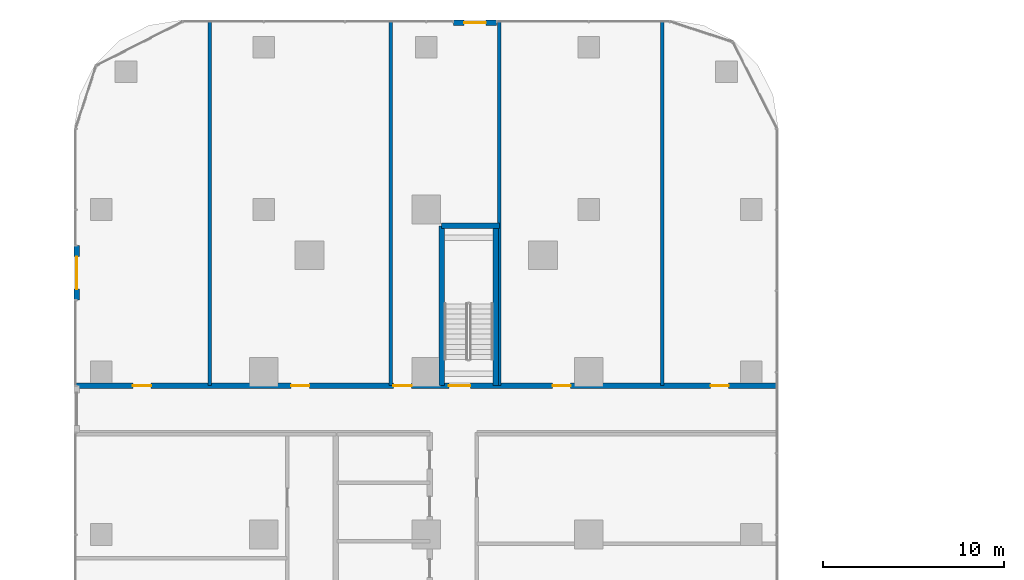
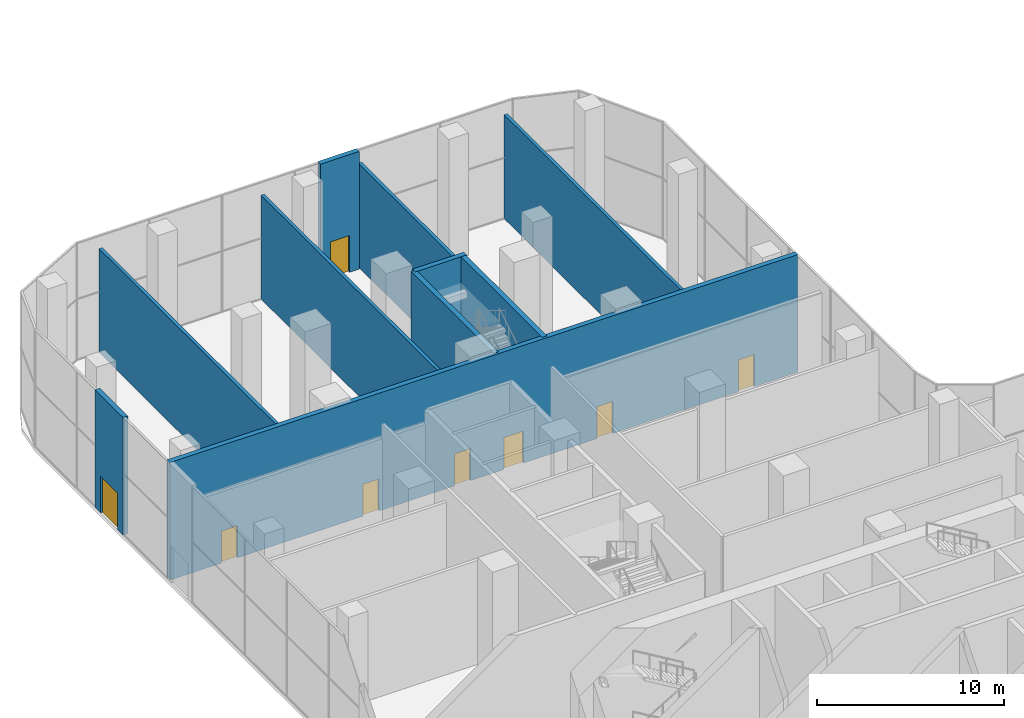
# One storey, part 35 of 54: 10 walls, 8 doors, 8 openings.
"""IFC4 building model written with IfcOpenShell, lengths in metres."""

from ifc_helpers import new_model, si_unit, direction, frame, frame_2d, origin, place, context, subcontext, project, spatial, rectangle, extrude, material, layer, layer_set, type_object, element, fill, save


model = new_model("IFC4")

# Units and contexts
model_context = context("Model", 3, precision=1e-05, world=origin(), true_north=direction((0.0, 1.0)))
body_context = subcontext(model_context, "Body", "Model", "MODEL_VIEW")
ifc_project = project(units=[si_unit("LENGTHUNIT", "METRE"), si_unit("AREAUNIT", "SQUARE_METRE"), si_unit("VOLUMEUNIT", "CUBIC_METRE"), si_unit("PLANEANGLEUNIT", "RADIAN"), si_unit("MASSUNIT", "GRAM", prefix="KILO")], contexts=[model_context])

# Site, building, storey
site_placement = place(None, origin())
site = spatial("IfcSite", under=ifc_project, at=site_placement, CompositionType="ELEMENT")
building_placement = place(site_placement, origin())
building = spatial("IfcBuilding", under=site, at=building_placement, Name="Ogive Portal Towers", CompositionType="ELEMENT")
storey_placement = place(building_placement, origin())
storey = spatial("IfcBuildingStorey", under=building, at=storey_placement, Name="L00", CompositionType="ELEMENT", Elevation=0.0)

# Wall, opening, door
ifc_material_1 = material(Name="Limestone cladding on lightweight block wall", Category="masonry")
ifc_layer_1 = layer(ifc_material_1, 0.300048828125)
ifc_layer_set_1 = layer_set([ifc_layer_1], Name="EXTERNAL WALL 300 STONE")
wall_type_1 = type_object("IfcWallType", Name="EXTERNAL WALL 300 STONE", PredefinedType="SOLIDWALL", material=ifc_layer_set_1)
wall_1_placement = place(storey_placement, frame((42.0, 85.85009765625, 0.0), z_axis=(0.0, 0.0, 1.0), x_axis=(1.0, 0.0, 0.0)))
wall_1 = element("IfcWall", 1, at=wall_1_placement, inside=storey, type_object=wall_type_1, Name="A:L00:f14:bay0", PredefinedType="SOLIDWALL", context=body_context, shape_type="SweptSolid", body=[
    extrude(rectangle(XDim=2.39990234375, YDim=0.300048828125, at=frame_2d((1.199951171875, 0.0))), origin(), (0.0, 0.0, 1.0), 7.699951171875),
])
opening_1_placement = place(wall_1_placement, frame((0.60009765625, 0.0, 0.0)))
opening_1 = element("IfcOpeningElement", 2, at=opening_1_placement, cuts=wall_1, Name="Opening DX012", PredefinedType="OPENING", context=body_context, shape_type="SweptSolid", body=[
    extrude(rectangle(XDim=1.199951171875, YDim=2.39990234375, at=frame_2d((0.60009765625, 1.199951171875))), frame((0.0, 0.16015625, 0.0), z_axis=(0.0, -1.0, 0.0), x_axis=(1.0, 0.0, 0.0)), (0.0, 0.0, 1.0), 0.320068359375),
])
ifc_material_2 = material(Name="Steel S355", Category="steel")
door_type_1 = type_object("IfcDoorType", Name="EXIT DOOR 1200x2400", OperationType="SINGLE_SWING_LEFT", PredefinedType="DOOR", material=ifc_material_2)
door_1_placement = place(opening_1_placement, origin())
door_1 = element("IfcDoor", 3, at=door_1_placement, inside=storey, type_object=door_type_1, Name="A:L00:f14:bay0/o0", OperationType="SINGLE_SWING_LEFT", OverallHeight=2.39990234375, OverallWidth=1.199951171875, PredefinedType="DOOR", context=body_context, shape_type="SweptSolid", body=[
    extrude(rectangle(XDim=1.199951171875, YDim=2.39990234375, at=frame_2d((0.60009765625, 1.199951171875))), frame((0.0, 0.02490234375, 0.0), z_axis=(0.0, -1.0, 0.0), x_axis=(1.0, 0.0, 0.0)), (0.0, 0.0, 1.0), 0.050048828125),
])
fill(opening_1, door_1)

wall_2_placement = place(storey_placement, frame((21.14990234375, 70.5, 0.0), z_axis=(0.0, 0.0, 1.0), x_axis=(0.0, 1.0, 0.0)))
wall_2 = element("IfcWall", 4, at=wall_2_placement, inside=storey, type_object=wall_type_1, Name="A:L00:f17:bay0", PredefinedType="SOLIDWALL", context=body_context, shape_type="SweptSolid", body=[
    extrude(rectangle(XDim=3.0, YDim=0.300048828125, at=frame_2d((1.5, 0.0))), origin(), (0.0, 0.0, 1.0), 7.699951171875),
])
opening_2_placement = place(wall_2_placement, frame((0.60009765625, 0.0, 0.0)))
opening_2 = element("IfcOpeningElement", 5, at=opening_2_placement, cuts=wall_2, Name="Opening DX013", PredefinedType="OPENING", context=body_context, shape_type="SweptSolid", body=[
    extrude(rectangle(XDim=1.800048828125, YDim=2.39990234375, at=frame_2d((0.89990234375, 1.199951171875))), frame((0.0, 0.16015625, 0.0), z_axis=(0.0, -1.0, 0.0), x_axis=(1.0, 0.0, 0.0)), (0.0, 0.0, 1.0), 0.320068359375),
])
door_type_2 = type_object("IfcDoorType", Name="SERVICE DOOR 1800x2400", OperationType="DOUBLE_DOOR_SINGLE_SWING", PredefinedType="DOOR", material=ifc_material_2)
door_2_placement = place(opening_2_placement, origin())
door_2 = element("IfcDoor", 6, at=door_2_placement, inside=storey, type_object=door_type_2, Name="A:L00:f17:bay0/o0", OperationType="SINGLE_SWING_LEFT", OverallHeight=2.39990234375, OverallWidth=1.800048828125, PredefinedType="DOOR", context=body_context, shape_type="SweptSolid", body=[
    extrude(rectangle(XDim=1.800048828125, YDim=2.39990234375, at=frame_2d((0.89990234375, 1.199951171875))), frame((0.0, 0.02490234375, 0.0), z_axis=(0.0, -1.0, 0.0), x_axis=(1.0, 0.0, 0.0)), (0.0, 0.0, 1.0), 0.050048828125),
])
fill(opening_2, door_2)

# Wall, openings, doors
ifc_material_3 = material(Name="Concrete C50/60", Category="concrete")
ifc_layer_2 = layer(ifc_material_3, 0.300048828125)
ifc_layer_set_2 = layer_set([ifc_layer_2], Name="STAIR WALL 300 C50")
wall_type_2 = type_object("IfcWallType", Name="STAIR WALL 300 C50", PredefinedType="SHEAR", material=ifc_layer_set_2)
wall_3_placement = place(storey_placement, frame((21.070068359375, 65.75, 0.0), z_axis=(0.0, 0.0, 1.0), x_axis=(1.0, 0.0, 0.0)))
wall_3 = element("IfcWall", 7, at=wall_3_placement, inside=storey, type_object=wall_type_2, Name="Stair wall ST-A3 L00", PredefinedType="SHEAR", context=body_context, shape_type="SweptSolid", body=[
    extrude(rectangle(XDim=38.85986328125, YDim=0.300048828125, at=frame_2d((19.429931640625, 0.0))), origin(), (0.0, 0.0, 1.0), 7.699951171875),
])
opening_3_placement = place(wall_3_placement, frame((20.679931640625, 0.0, 0.0)))
opening_3 = element("IfcOpeningElement", 8, at=opening_3_placement, cuts=wall_3, Name="Opening P00-001", PredefinedType="OPENING", context=body_context, shape_type="SweptSolid", body=[
    extrude(rectangle(XDim=1.199951171875, YDim=2.10009765625, at=frame_2d((0.60009765625, 1.050048828125))), frame((0.0, 0.16015625, 0.0), z_axis=(0.0, -1.0, 0.0), x_axis=(1.0, 0.0, 0.0)), (0.0, 0.0, 1.0), 0.320068359375),
])
opening_4_placement = place(wall_3_placement, frame((3.18603515625, 0.0, 0.0)))
opening_4 = element("IfcOpeningElement", 9, at=opening_4_placement, cuts=wall_3, Name="Opening P00-029", PredefinedType="OPENING", context=body_context, shape_type="SweptSolid", body=[
    extrude(rectangle(XDim=1.0, YDim=2.10009765625, at=frame_2d((0.5, 1.050048828125))), frame((0.0, 0.16015625, 0.0), z_axis=(0.0, -1.0, 0.0), x_axis=(1.0, 0.0, 0.0)), (0.0, 0.0, 1.0), 0.320068359375),
])
opening_5_placement = place(wall_3_placement, frame((11.951904296875, 0.0, 0.0)))
opening_5 = element("IfcOpeningElement", 10, at=opening_5_placement, cuts=wall_3, Name="Opening P00-030", PredefinedType="OPENING", context=body_context, shape_type="SweptSolid", body=[
    extrude(rectangle(XDim=1.0, YDim=2.10009765625, at=frame_2d((0.5, 1.050048828125))), frame((0.0, 0.16015625, 0.0), z_axis=(0.0, -1.0, 0.0), x_axis=(1.0, 0.0, 0.0)), (0.0, 0.0, 1.0), 0.320068359375),
])
opening_6_placement = place(wall_3_placement, frame((17.614990234375, 0.0, 0.0)))
opening_6 = element("IfcOpeningElement", 11, at=opening_6_placement, cuts=wall_3, Name="Opening P00-031", PredefinedType="OPENING", context=body_context, shape_type="SweptSolid", body=[
    extrude(rectangle(XDim=1.0, YDim=2.10009765625, at=frame_2d((0.5, 1.050048828125))), frame((0.0, 0.16015625, 0.0), z_axis=(0.0, -1.0, 0.0), x_axis=(1.0, 0.0, 0.0)), (0.0, 0.0, 1.0), 0.320068359375),
])
opening_7_placement = place(wall_3_placement, frame((26.429931640625, 0.0, 0.0)))
opening_7 = element("IfcOpeningElement", 12, at=opening_7_placement, cuts=wall_3, Name="Opening P00-032", PredefinedType="OPENING", context=body_context, shape_type="SweptSolid", body=[
    extrude(rectangle(XDim=1.0, YDim=2.10009765625, at=frame_2d((0.5, 1.050048828125))), frame((0.0, 0.16015625, 0.0), z_axis=(0.0, -1.0, 0.0), x_axis=(1.0, 0.0, 0.0)), (0.0, 0.0, 1.0), 0.320068359375),
])
opening_8_placement = place(wall_3_placement, frame((35.179931640625, 0.0, 0.0)))
opening_8 = element("IfcOpeningElement", 13, at=opening_8_placement, cuts=wall_3, Name="Opening P00-033", PredefinedType="OPENING", context=body_context, shape_type="SweptSolid", body=[
    extrude(rectangle(XDim=1.0, YDim=2.10009765625, at=frame_2d((0.5, 1.050048828125))), frame((0.0, 0.16015625, 0.0), z_axis=(0.0, -1.0, 0.0), x_axis=(1.0, 0.0, 0.0)), (0.0, 0.0, 1.0), 0.320068359375),
])
ifc_material_4 = material(Name="Steel fire door", Category="steel")
door_type_3 = type_object("IfcDoorType", Name="DT-SWING-1000x2100-FD90S", OperationType="SINGLE_SWING_LEFT", PredefinedType="DOOR", material=ifc_material_4)
door_3_placement = place(opening_4_placement, origin())
door_3 = element("IfcDoor", 14, at=door_3_placement, inside=storey, type_object=door_type_3, Name="Door P00-029", OperationType="SINGLE_SWING_LEFT", OverallHeight=2.10009765625, OverallWidth=1.0, PredefinedType="DOOR", context=body_context, shape_type="SweptSolid", body=[
    extrude(rectangle(XDim=1.0, YDim=2.10009765625, at=frame_2d((0.5, 1.050048828125))), frame((0.0, 0.02490234375, 0.0), z_axis=(0.0, -1.0, 0.0), x_axis=(1.0, 0.0, 0.0)), (0.0, 0.0, 1.0), 0.050048828125),
])
fill(opening_4, door_3)
door_4_placement = place(opening_5_placement, origin())
door_4 = element("IfcDoor", 15, at=door_4_placement, inside=storey, type_object=door_type_3, Name="Door P00-030", OperationType="SINGLE_SWING_RIGHT", OverallHeight=2.10009765625, OverallWidth=1.0, PredefinedType="DOOR", context=body_context, shape_type="SweptSolid", body=[
    extrude(rectangle(XDim=1.0, YDim=2.10009765625, at=frame_2d((0.5, 1.050048828125))), frame((0.0, 0.02490234375, 0.0), z_axis=(0.0, -1.0, 0.0), x_axis=(1.0, 0.0, 0.0)), (0.0, 0.0, 1.0), 0.050048828125),
])
fill(opening_5, door_4)
door_5_placement = place(opening_6_placement, origin())
door_5 = element("IfcDoor", 16, at=door_5_placement, inside=storey, type_object=door_type_3, Name="Door P00-031", OperationType="SINGLE_SWING_LEFT", OverallHeight=2.10009765625, OverallWidth=1.0, PredefinedType="DOOR", context=body_context, shape_type="SweptSolid", body=[
    extrude(rectangle(XDim=1.0, YDim=2.10009765625, at=frame_2d((0.5, 1.050048828125))), frame((0.0, 0.02490234375, 0.0), z_axis=(0.0, -1.0, 0.0), x_axis=(1.0, 0.0, 0.0)), (0.0, 0.0, 1.0), 0.050048828125),
])
fill(opening_6, door_5)
door_6_placement = place(opening_7_placement, origin())
door_6 = element("IfcDoor", 17, at=door_6_placement, inside=storey, type_object=door_type_3, Name="Door P00-032", OperationType="SINGLE_SWING_RIGHT", OverallHeight=2.10009765625, OverallWidth=1.0, PredefinedType="DOOR", context=body_context, shape_type="SweptSolid", body=[
    extrude(rectangle(XDim=1.0, YDim=2.10009765625, at=frame_2d((0.5, 1.050048828125))), frame((0.0, 0.02490234375, 0.0), z_axis=(0.0, -1.0, 0.0), x_axis=(1.0, 0.0, 0.0)), (0.0, 0.0, 1.0), 0.050048828125),
])
fill(opening_7, door_6)
door_7_placement = place(opening_8_placement, origin())
door_7 = element("IfcDoor", 18, at=door_7_placement, inside=storey, type_object=door_type_3, Name="Door P00-033", OperationType="SINGLE_SWING_LEFT", OverallHeight=2.10009765625, OverallWidth=1.0, PredefinedType="DOOR", context=body_context, shape_type="SweptSolid", body=[
    extrude(rectangle(XDim=1.0, YDim=2.10009765625, at=frame_2d((0.5, 1.050048828125))), frame((0.0, 0.02490234375, 0.0), z_axis=(0.0, -1.0, 0.0), x_axis=(1.0, 0.0, 0.0)), (0.0, 0.0, 1.0), 0.050048828125),
])
fill(opening_8, door_7)
door_type_4 = type_object("IfcDoorType", Name="DT-SWING-1200x2100-FD90S", OperationType="SINGLE_SWING_LEFT", PredefinedType="DOOR", material=ifc_material_4)
door_8_placement = place(opening_3_placement, origin())
door_8 = element("IfcDoor", 19, at=door_8_placement, inside=storey, type_object=door_type_4, Name="Door P00-001", OperationType="SINGLE_SWING_LEFT", OverallHeight=2.10009765625, OverallWidth=1.199951171875, PredefinedType="DOOR", context=body_context, shape_type="SweptSolid", body=[
    extrude(rectangle(XDim=1.199951171875, YDim=2.10009765625, at=frame_2d((0.60009765625, 1.050048828125))), frame((0.0, 0.02490234375, 0.0), z_axis=(0.0, -1.0, 0.0), x_axis=(1.0, 0.0, 0.0)), (0.0, 0.0, 1.0), 0.050048828125),
])
fill(opening_3, door_8)

# Walls
wall_4_placement = place(storey_placement, frame((41.35009765625, 74.60009765625, 0.0), z_axis=(0.0, 0.0, 1.0), x_axis=(1.0, 0.0, 0.0)))
element("IfcWall", 20, at=wall_4_placement, inside=storey, type_object=wall_type_2, Name="Stair wall ST-A3 L00", PredefinedType="SHEAR", context=body_context, shape_type="SweptSolid", body=[
    extrude(rectangle(XDim=3.199951171875, YDim=0.300048828125, at=frame_2d((1.60009765625, 0.0))), origin(), (0.0, 0.0, 1.0), 7.699951171875),
])
for number, where, z_axis, x_axis, name in (
    (21, (41.35009765625, 65.75, 0.0), (0.0, 0.0, 1.0), (0.0, 1.0, 0.0), "Stair wall ST-A3 L00"),
    (22, (44.35009765625, 65.75, 0.0), (0.0, 0.0, 1.0), (0.0, 1.0, 0.0), "Stair wall ST-A3 L00"),
):
    element("IfcWall", number, at=place(storey_placement, frame(where, z_axis=z_axis, x_axis=x_axis)), inside=storey, type_object=wall_type_2, Name=name, PredefinedType="SHEAR", context=body_context, shape_type="SweptSolid", body=[
        extrude(rectangle(XDim=8.85009765625, YDim=0.300048828125, at=frame_2d((4.425048828125, 0.0))), origin(), (0.0, 0.0, 1.0), 7.699951171875),
    ])
ifc_material_5 = material(Name="Gypsum board partition on steel studs", Category="steel")
ifc_layer_3 = layer(ifc_material_5, 0.199951171875)
ifc_layer_set_3 = layer_set([ifc_layer_3], Name="WT-PART-200-EI 60")
wall_type_3 = type_object("IfcWallType", Name="WT-PART-200-EI 60", PredefinedType="PARTITIONING", material=ifc_layer_set_3)
for number, where, z_axis, x_axis, name in (
    (23, (28.52001953125, 65.75, 0.0), (0.0, 0.0, 1.0), (0.0, 1.0, 0.0), "Wall L00:w074"),
    (24, (38.533935546875, 65.75, 0.0), (0.0, 0.0, 1.0), (0.0, 1.0, 0.0), "Wall L00:w080"),
    (25, (44.550048828125, 65.75, 0.0), (0.0, 0.0, 1.0), (0.0, 1.0, 0.0), "Wall L00:w085"),
    (26, (53.573974609375, 65.75, 0.0), (0.0, 0.0, 1.0), (0.0, 1.0, 0.0), "Wall L00:w087"),
):
    element("IfcWall", number, at=place(storey_placement, frame(where, z_axis=z_axis, x_axis=x_axis)), inside=storey, type_object=wall_type_3, Name=name, PredefinedType="PARTITIONING", context=body_context, shape_type="SweptSolid", body=[
        extrude(rectangle(XDim=20.179931640625, YDim=0.199951171875, at=frame_2d((10.08984375, 0.0))), origin(), (0.0, 0.0, 1.0), 6.800048828125),
    ])

save(model, "model.ifc")
